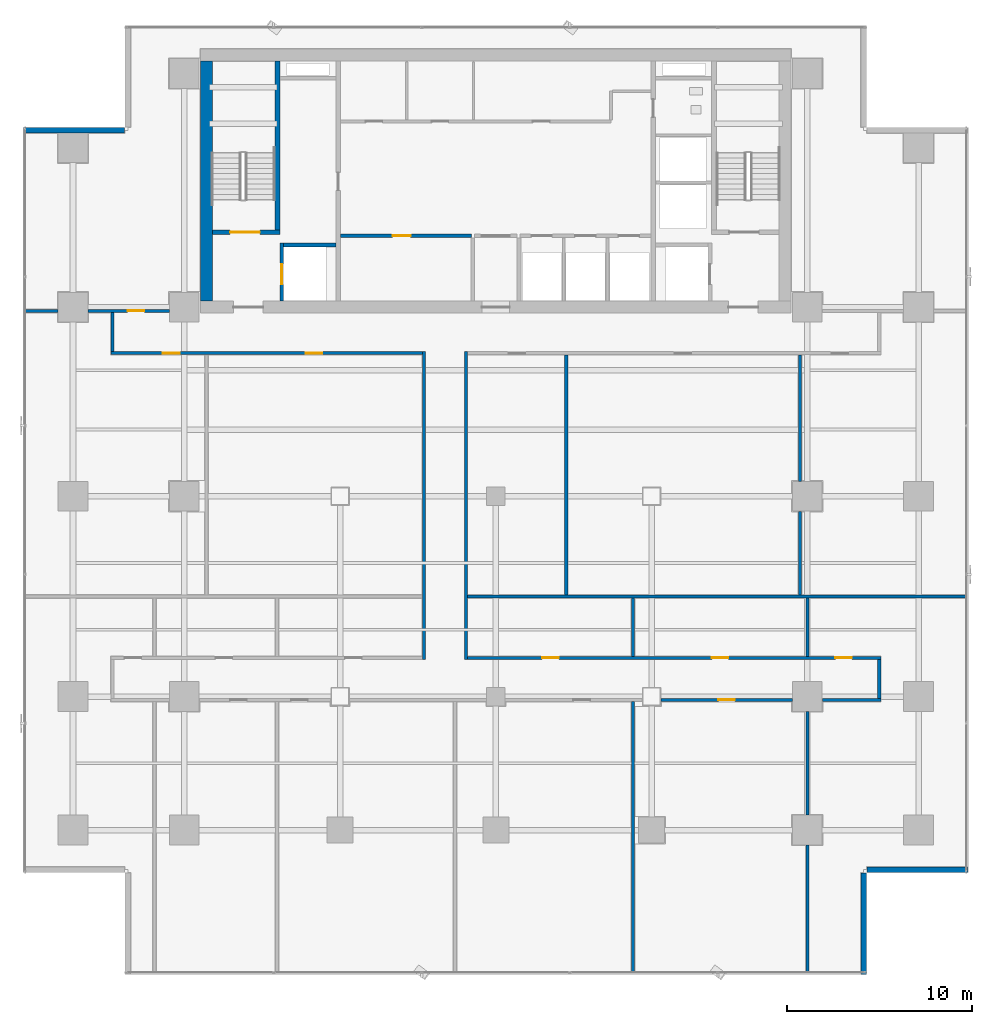
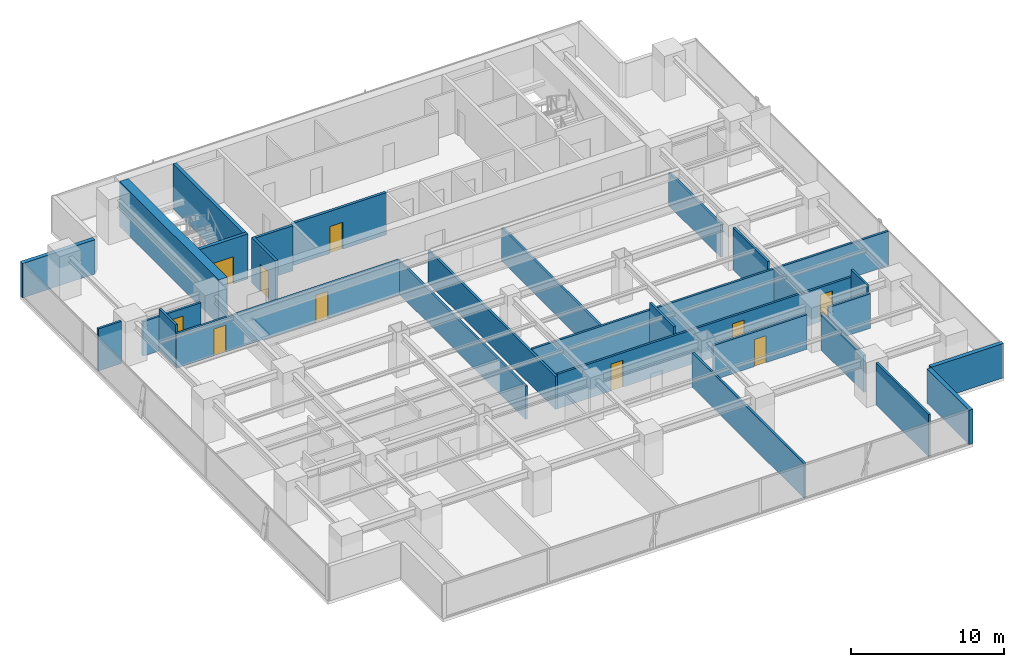
# One storey, part 26 of 35: 28 walls, 10 doors, 10 openings.
"""IFC4 building model written with IfcOpenShell, lengths in metres."""

from ifc_helpers import new_model, si_unit, direction, frame, frame_2d, origin, place, context, subcontext, project, spatial, rectangle, extrude, source, transform, mapped, material, layer, layer_set, type_object, element, fill, save


model = new_model("IFC4")

# Units and contexts
model_context = context("Model", 3, precision=1e-05, world=origin(), true_north=direction((0.0, 1.0)))
body_context = subcontext(model_context, "Body", "Model", "MODEL_VIEW")
ifc_project = project(units=[si_unit("LENGTHUNIT", "METRE"), si_unit("AREAUNIT", "SQUARE_METRE"), si_unit("VOLUMEUNIT", "CUBIC_METRE"), si_unit("PLANEANGLEUNIT", "RADIAN"), si_unit("MASSUNIT", "GRAM", prefix="KILO")], contexts=[model_context])

# Site, building, storey
site_placement = place(None, origin())
site = spatial("IfcSite", under=ifc_project, at=site_placement, CompositionType="ELEMENT")
building_placement = place(site_placement, origin())
building = spatial("IfcBuilding", under=site, at=building_placement, Name="Sumidabori Civic Tower", CompositionType="ELEMENT")
storey_placement = place(building_placement, frame((0.0, 0.0, 102.800048828125)))
storey = spatial("IfcBuildingStorey", under=building, at=storey_placement, Name="L26", CompositionType="ELEMENT", Elevation=102.800048828125)

# Walls
ifc_material_1 = material(Name="Concrete C50/60", Category="concrete")
ifc_layer_1 = layer(ifc_material_1, 0.199951171875, Name="Concrete C50/60")
ifc_layer_set_1 = layer_set([ifc_layer_1], Name="Concrete C50/60")
wall_type_1 = type_object("IfcWallType", Name="WL-SHAFT-200", PredefinedType="SHEAR", material=ifc_layer_set_1)
shared_shape_1 = source(origin(), body_context, "Body", "SweptSolid", [
    extrude(rectangle(XDim=2.824951171875, YDim=0.199951171875, at=frame_2d((1.41259765625, 0.0))), origin(), (0.0, 0.0, 1.0), 3.599853515625),
])
wall_1_placement = place(storey_placement, frame((-11.449951171875, 13.550048828125, 0.0), z_axis=(0.0, 0.0, 1.0), x_axis=(1.0, 0.0, 0.0)))
element("IfcWall", 1, at=wall_1_placement, inside=storey, type_object=wall_type_1, Name="Core Shear Wall L26 EL1-N", PredefinedType="SHEAR", context=body_context, shape_type="MappedRepresentation", body=[
    mapped(shared_shape_1, transform((0.0, 0.0, 0.0), x_axis=(1.0, 0.0, 0.0), y_axis=(0.0, 1.0, 0.0), z_axis=(0.0, 0.0, 1.0), scale=1.0)),
])
ifc_material_2 = material(Name="Concrete C60/75", Category="concrete")
ifc_layer_2 = layer(ifc_material_2, 0.64990234375, Name="Concrete C60/75")
ifc_layer_set_2 = layer_set([ifc_layer_2], Name="Concrete C60/75")
wall_type_2 = type_object("IfcWallType", Name="WL-CORE-650", PredefinedType="SHEAR", material=ifc_layer_set_2)
shared_shape_2 = source(origin(), body_context, "Body", "SweptSolid", [
    extrude(rectangle(XDim=12.9501953125, YDim=0.64990234375, at=frame_2d((6.47509765625, 0.0))), origin(), (0.0, 0.0, 1.0), 3.599853515625),
])
wall_2_placement = place(storey_placement, frame((-15.60009765625, 10.52490234375, 0.0), z_axis=(0.0, 0.0, 1.0), x_axis=(0.0, 1.0, 0.0)))
element("IfcWall", 2, at=wall_2_placement, inside=storey, type_object=wall_type_2, Name="Core Shear Wall L26 W", PredefinedType="SHEAR", context=body_context, shape_type="MappedRepresentation", body=[
    mapped(shared_shape_2, transform((0.0, 0.0, 0.0), x_axis=(1.0, 0.0, 0.0), y_axis=(0.0, 1.0, 0.0), z_axis=(0.0, 0.0, 1.0), scale=1.0)),
])

# Wall, opening, door
ifc_layer_3 = layer(ifc_material_1, 0.25, Name="Concrete C50/60")
ifc_layer_set_3 = layer_set([ifc_layer_3], Name="Concrete C50/60")
wall_type_3 = type_object("IfcWallType", Name="WL-SHAFT-250", PredefinedType="SHEAR", material=ifc_layer_set_3)
shared_shape_3 = source(origin(), body_context, "Body", "SweptSolid", [
    extrude(rectangle(XDim=3.6298828125, YDim=0.25, at=frame_2d((1.81494140625, 0.0))), origin(), (0.0, 0.0, 1.0), 3.599853515625),
])
wall_3_placement = place(storey_placement, frame((-15.27490234375, 14.25, 0.0), z_axis=(0.0, 0.0, 1.0), x_axis=(1.0, 0.0, 0.0)))
wall_3 = element("IfcWall", 3, at=wall_3_placement, inside=storey, type_object=wall_type_3, Name="Core Shear Wall L26 ST1-S", PredefinedType="SHEAR", context=body_context, shape_type="MappedRepresentation", body=[
    mapped(shared_shape_3, transform((0.0, 0.0, 0.0), x_axis=(1.0, 0.0, 0.0), y_axis=(0.0, 1.0, 0.0), z_axis=(0.0, 0.0, 1.0), scale=1.0)),
])
opening_1_placement = place(wall_3_placement, frame((0.949951171875, 0.0, 0.0)))
opening_1 = element("IfcOpeningElement", 4, at=opening_1_placement, cuts=wall_3, Name="Opening DR-FD4", PredefinedType="OPENING", context=body_context, shape_type="SweptSolid", body=[
    extrude(rectangle(XDim=1.60009765625, YDim=2.14990234375, at=frame_2d((0.800048828125, 1.074951171875))), frame((0.0, 0.136962890625, 0.0), z_axis=(0.0, -1.0, 0.0), x_axis=(1.0, 0.0, 0.0)), (0.0, 0.0, 1.0), 0.27392578125),
])
ifc_material_3 = material(Name="Steel SN490", Category="steel")
door_type_1 = type_object("IfcDoorType", Name="DR-FD4", OperationType="DOUBLE_DOOR_SINGLE_SWING", PredefinedType="DOOR", material=ifc_material_3)
shared_shape_4 = source(origin(), body_context, "Body", "SweptSolid", [
    extrude(rectangle(XDim=1.60009765625, YDim=2.14990234375, at=frame_2d((0.800048828125, 1.074951171875))), frame((0.0, 0.02490234375, 0.0), z_axis=(0.0, -1.0, 0.0), x_axis=(1.0, 0.0, 0.0)), (0.0, 0.0, 1.0), 0.050048828125),
])
door_1_placement = place(opening_1_placement, origin())
door_1 = element("IfcDoor", 5, at=door_1_placement, inside=storey, type_object=door_type_1, Name="Door DR:L26:ST1", OperationType="DOUBLE_DOOR_SINGLE_SWING", OverallHeight=2.14990234375, OverallWidth=1.60009765625, PredefinedType="DOOR", context=body_context, shape_type="MappedRepresentation", body=[
    mapped(shared_shape_4, transform((0.0, 0.0, 0.0), x_axis=(1.0, 0.0, 0.0), y_axis=(0.0, 1.0, 0.0), z_axis=(0.0, 0.0, 1.0), scale=1.0)),
])
fill(opening_1, door_1)

# Wall
shared_shape_5 = source(origin(), body_context, "Body", "SweptSolid", [
    extrude(rectangle(XDim=9.10009765625, YDim=0.25, at=frame_2d((4.550048828125, 0.0))), origin(), (0.0, 0.0, 1.0), 3.599853515625),
])
wall_4_placement = place(storey_placement, frame((-11.77001953125, 14.375, 0.0), z_axis=(0.0, 0.0, 1.0), x_axis=(0.0, 1.0, 0.0)))
element("IfcWall", 6, at=wall_4_placement, inside=storey, type_object=wall_type_3, Name="Core Shear Wall L26 ST1-E", PredefinedType="SHEAR", context=body_context, shape_type="MappedRepresentation", body=[
    mapped(shared_shape_5, transform((0.0, 0.0, 0.0), x_axis=(1.0, 0.0, 0.0), y_axis=(0.0, 1.0, 0.0), z_axis=(0.0, 0.0, 1.0), scale=1.0)),
])

# Wall, opening, door
shared_shape_6 = source(origin(), body_context, "Body", "SweptSolid", [
    extrude(rectangle(XDim=3.125, YDim=0.199951171875, at=frame_2d((1.5625, 0.0))), origin(), (0.0, 0.0, 1.0), 3.599853515625),
])
wall_5_placement = place(storey_placement, frame((-11.550048828125, 10.52490234375, 0.0), z_axis=(0.0, 0.0, 1.0), x_axis=(0.0, 1.0, 0.0)))
wall_5 = element("IfcWall", 7, at=wall_5_placement, inside=storey, type_object=wall_type_1, Name="Core Shear Wall L26 EL1-W", PredefinedType="SHEAR", context=body_context, shape_type="MappedRepresentation", body=[
    mapped(shared_shape_6, transform((0.0, 0.0, 0.0), x_axis=(1.0, 0.0, 0.0), y_axis=(0.0, 1.0, 0.0), z_axis=(0.0, 0.0, 1.0), scale=1.0)),
])
opening_2_placement = place(wall_5_placement, frame((0.89990234375, 0.0, 0.0)))
opening_2 = element("IfcOpeningElement", 8, at=opening_2_placement, cuts=wall_5, Name="Opening LD-2", PredefinedType="OPENING", context=body_context, shape_type="SweptSolid", body=[
    extrude(rectangle(XDim=1.10009765625, YDim=2.14990234375, at=frame_2d((0.550048828125, 1.074951171875))), frame((0.0, 0.11181640625, 0.0), z_axis=(0.0, -1.0, 0.0), x_axis=(1.0, 0.0, 0.0)), (0.0, 0.0, 1.0), 0.223876953125),
])
ifc_material_4 = material(Name="Stainless Steel Hairline Finish", Category="steel")
door_type_2 = type_object("IfcDoorType", Name="DR-LD2", OperationType="DOUBLE_DOOR_SLIDING", PredefinedType="DOOR", material=ifc_material_4)
shared_shape_7 = source(origin(), body_context, "Body", "SweptSolid", [
    extrude(rectangle(XDim=1.10009765625, YDim=2.14990234375, at=frame_2d((0.550048828125, 1.074951171875))), frame((0.0, 0.02490234375, 0.0), z_axis=(0.0, -1.0, 0.0), x_axis=(1.0, 0.0, 0.0)), (0.0, 0.0, 1.0), 0.050048828125),
])
door_2_placement = place(opening_2_placement, origin())
door_2 = element("IfcDoor", 9, at=door_2_placement, inside=storey, type_object=door_type_2, Name="Door DR:L26:LD-EL1", OperationType="DOUBLE_DOOR_SLIDING", OverallHeight=2.14990234375, OverallWidth=1.10009765625, PredefinedType="DOOR", context=body_context, shape_type="MappedRepresentation", body=[
    mapped(shared_shape_7, transform((0.0, 0.0, 0.0), x_axis=(1.0, 0.0, 0.0), y_axis=(0.0, 1.0, 0.0), z_axis=(0.0, 0.0, 1.0), scale=1.0)),
])
fill(opening_2, door_2)

# Walls
ifc_material_5 = material(Name="Precast concrete C40/50", Category="concrete")
ifc_layer_4 = layer(ifc_material_5, 0.300048828125, Name="Precast concrete C40/50")
ifc_layer_set_4 = layer_set([ifc_layer_4], Name="Precast concrete C40/50")
wall_type_4 = type_object("IfcWallType", Name="WL-EXT-POD300", PredefinedType="STANDARD", material=ifc_layer_set_4)
shared_shape_8 = source(origin(), body_context, "Body", "SweptSolid", [
    extrude(rectangle(XDim=5.4599609375, YDim=0.300048828125, at=frame_2d((2.72998046875, 0.0))), origin(), (0.0, 0.0, 1.0), 2.739990234375),
])
for number, where, z_axis, x_axis, name in (
    (10, (19.85009765625, -25.780029296875, 0.0), (0.0, 0.0, 1.0), (0.0, 1.0, 0.0), "Notched Corner Spandrel Band L26-02"),
    (11, (20.02001953125, -20.14990234375, 0.0), (0.0, 0.0, 1.0), (1.0, 0.0, 0.0), "Notched Corner Spandrel Band L26-03"),
    (12, (-20.02001953125, 19.75, 0.0), (0.0, 0.0, 1.0), (-1.0, 0.0, 0.0), "Notched Corner Spandrel Band L26-09"),
):
    element("IfcWall", number, at=place(storey_placement, frame(where, z_axis=z_axis, x_axis=x_axis)), inside=storey, type_object=wall_type_4, Name=name, PredefinedType="STANDARD", context=body_context, shape_type="MappedRepresentation", body=[
        mapped(shared_shape_8, transform((0.0, 0.0, 0.0), x_axis=(1.0, 0.0, 0.0), y_axis=(0.0, 1.0, 0.0), z_axis=(0.0, 0.0, 1.0), scale=1.0)),
    ])

# Wall, opening, door
ifc_material_6 = material(Name="Gypsum Plasterboard Fire Partition")
ifc_layer_5 = layer(ifc_material_6, 0.199951171875, Name="Gypsum Plasterboard Fire Partition")
ifc_layer_set_5 = layer_set([ifc_layer_5], Name="Gypsum Plasterboard Fire Partition")
wall_type_5 = type_object("IfcWallType", Name="WL-PART-FIRE", PredefinedType="PARTITIONING", material=ifc_layer_set_5)
shared_shape_9 = source(origin(), body_context, "Body", "SweptSolid", [
    extrude(rectangle(XDim=7.070068359375, YDim=0.199951171875, at=frame_2d((3.53515625, 0.0))), origin(), (0.0, 0.0, 1.0), 3.35986328125),
])
wall_6_placement = place(storey_placement, frame((-8.3701171875, 14.050048828125, 0.0), z_axis=(0.0, 0.0, 1.0), x_axis=(1.0, 0.0, 0.0)))
wall_6 = element("IfcWall", 13, at=wall_6_placement, inside=storey, type_object=wall_type_5, Name="Interior Partition WL:L26:CBAND-SW", PredefinedType="PARTITIONING", context=body_context, shape_type="MappedRepresentation", body=[
    mapped(shared_shape_9, transform((0.0, 0.0, 0.0), x_axis=(1.0, 0.0, 0.0), y_axis=(0.0, 1.0, 0.0), z_axis=(0.0, 0.0, 1.0), scale=1.0)),
])
opening_3_placement = place(wall_6_placement, frame((2.800048828125, 0.0, 0.0)))
opening_3 = element("IfcOpeningElement", 14, at=opening_3_placement, cuts=wall_6, Name="Opening DR-3", PredefinedType="OPENING", context=body_context, shape_type="SweptSolid", body=[
    extrude(rectangle(XDim=0.97998046875, YDim=2.14990234375, at=frame_2d((0.489990234375, 1.074951171875))), frame((0.0, 0.11181640625, 0.0), z_axis=(0.0, -1.0, 0.0), x_axis=(1.0, 0.0, 0.0)), (0.0, 0.0, 1.0), 0.223876953125),
])
ifc_material_7 = material(Name="Japanese Hinoki Timber", Category="wood")
door_type_3 = type_object("IfcDoorType", Name="DR-INT-980", OperationType="NOTDEFINED", PredefinedType="DOOR", material=ifc_material_7)
shared_shape_10 = source(origin(), body_context, "Body", "SweptSolid", [
    extrude(rectangle(XDim=0.97998046875, YDim=2.14990234375, at=frame_2d((0.489990234375, 1.074951171875))), frame((0.0, 0.02490234375, 0.0), z_axis=(0.0, -1.0, 0.0), x_axis=(1.0, 0.0, 0.0)), (0.0, 0.0, 1.0), 0.050048828125),
])
door_3_placement = place(opening_3_placement, origin())
door_3 = element("IfcDoor", 15, at=door_3_placement, inside=storey, type_object=door_type_3, Name="Door DR:L26:REC-B1", OperationType="SINGLE_SWING_LEFT", OverallHeight=2.14990234375, OverallWidth=0.97998046875, PredefinedType="DOOR", context=body_context, shape_type="MappedRepresentation", body=[
    mapped(shared_shape_10, transform((0.0, 0.0, 0.0), x_axis=(1.0, 0.0, 0.0), y_axis=(0.0, 1.0, 0.0), z_axis=(0.0, 0.0, 1.0), scale=1.0)),
])
fill(opening_3, door_3)

# Wall
ifc_material_8 = material(Name="Gypsum Plasterboard Acoustic Partition")
ifc_layer_6 = layer(ifc_material_8, 0.1650390625, Name="Gypsum Plasterboard Acoustic Partition")
ifc_layer_set_6 = layer_set([ifc_layer_6], Name="Gypsum Plasterboard Acoustic Partition")
wall_type_6 = type_object("IfcWallType", Name="WL-PART-165", PredefinedType="PARTITIONING", material=ifc_layer_set_6)
shared_shape_11 = source(origin(), body_context, "Body", "SweptSolid", [
    extrude(rectangle(XDim=1.739990234375, YDim=0.1650390625, at=frame_2d((0.8701171875, 0.0))), origin(), (0.0, 0.0, 1.0), 3.35986328125),
])
wall_7_placement = place(storey_placement, frame((-25.35009765625, 10.0, 0.0), z_axis=(0.0, 0.0, 1.0), x_axis=(1.0, 0.0, 0.0)))
element("IfcWall", 16, at=wall_7_placement, inside=storey, type_object=wall_type_6, Name="Interior Partition WL:L26:FLK-NW-1", PredefinedType="PARTITIONING", context=body_context, shape_type="MappedRepresentation", body=[
    mapped(shared_shape_11, transform((0.0, 0.0, 0.0), x_axis=(1.0, 0.0, 0.0), y_axis=(0.0, 1.0, 0.0), z_axis=(0.0, 0.0, 1.0), scale=1.0)),
])

# Wall, opening, door
shared_shape_12 = source(origin(), body_context, "Body", "SweptSolid", [
    extrude(rectangle(XDim=4.3798828125, YDim=0.1650390625, at=frame_2d((2.18994140625, 0.0))), origin(), (0.0, 0.0, 1.0), 2.744873046875),
])
wall_8_placement = place(storey_placement, frame((-21.989990234375, 10.0, 0.0), z_axis=(0.0, 0.0, 1.0), x_axis=(1.0, 0.0, 0.0)))
wall_8 = element("IfcWall", 17, at=wall_8_placement, inside=storey, type_object=wall_type_6, Name="Interior Partition WL:L26:FLK-NW-2", PredefinedType="PARTITIONING", context=body_context, shape_type="MappedRepresentation", body=[
    mapped(shared_shape_12, transform((0.0, 0.0, 0.0), x_axis=(1.0, 0.0, 0.0), y_axis=(0.0, 1.0, 0.0), z_axis=(0.0, 0.0, 1.0), scale=1.0)),
])
opening_4_placement = place(wall_8_placement, frame((2.135009765625, 0.0, 0.0)))
opening_4 = element("IfcOpeningElement", 18, at=opening_4_placement, cuts=wall_8, Name="Opening DR-1", PredefinedType="OPENING", context=body_context, shape_type="SweptSolid", body=[
    extrude(rectangle(XDim=0.89990234375, YDim=2.14990234375, at=frame_2d((0.449951171875, 1.074951171875))), frame((0.0, 0.094482421875, 0.0), z_axis=(0.0, -1.0, 0.0), x_axis=(1.0, 0.0, 0.0)), (0.0, 0.0, 1.0), 0.18896484375),
])
door_type_4 = type_object("IfcDoorType", Name="DR-INT-900", OperationType="NOTDEFINED", PredefinedType="DOOR", material=ifc_material_7)
shared_shape_13 = source(origin(), body_context, "Body", "SweptSolid", [
    extrude(rectangle(XDim=0.89990234375, YDim=2.14990234375, at=frame_2d((0.449951171875, 1.074951171875))), frame((0.0, 0.02490234375, 0.0), z_axis=(0.0, -1.0, 0.0), x_axis=(1.0, 0.0, 0.0)), (0.0, 0.0, 1.0), 0.050048828125),
])
door_4_placement = place(opening_4_placement, origin())
door_4 = element("IfcDoor", 19, at=door_4_placement, inside=storey, type_object=door_type_4, Name="Door DR:L26:FLK-NE", OperationType="SINGLE_SWING_LEFT", OverallHeight=2.14990234375, OverallWidth=0.89990234375, PredefinedType="DOOR", context=body_context, shape_type="MappedRepresentation", body=[
    mapped(shared_shape_13, transform((0.0, 0.0, 0.0), x_axis=(1.0, 0.0, 0.0), y_axis=(0.0, 1.0, 0.0), z_axis=(0.0, 0.0, 1.0), scale=1.0)),
])
fill(opening_4, door_4)

# Wall, openings, doors
shared_shape_14 = source(origin(), body_context, "Body", "SweptSolid", [
    extrude(rectangle(XDim=16.7998046875, YDim=0.1650390625, at=frame_2d((8.39990234375, 0.0))), origin(), (0.0, 0.0, 1.0), 2.744873046875),
])
wall_9_placement = place(storey_placement, frame((-20.764892578125, 7.717529296875, 0.0), z_axis=(0.0, 0.0, 1.0), x_axis=(1.0, 0.0, 0.0)))
wall_9 = element("IfcWall", 20, at=wall_9_placement, inside=storey, type_object=wall_type_6, Name="Interior Partition WL:L26:CORR-SW", PredefinedType="PARTITIONING", context=body_context, shape_type="MappedRepresentation", body=[
    mapped(shared_shape_14, transform((0.0, 0.0, 0.0), x_axis=(1.0, 0.0, 0.0), y_axis=(0.0, 1.0, 0.0), z_axis=(0.0, 0.0, 1.0), scale=1.0)),
])
opening_5_placement = place(wall_9_placement, frame((2.813720703125, 0.0, 0.0)))
opening_5 = element("IfcOpeningElement", 21, at=opening_5_placement, cuts=wall_9, Name="Opening DR-1", PredefinedType="OPENING", context=body_context, shape_type="SweptSolid", body=[
    extrude(rectangle(XDim=0.89990234375, YDim=2.14990234375, at=frame_2d((0.449951171875, 1.074951171875))), frame((0.0, 0.094482421875, 0.0), z_axis=(0.0, -1.0, 0.0), x_axis=(1.0, 0.0, 0.0)), (0.0, 0.0, 1.0), 0.18896484375),
])
opening_6_placement = place(wall_9_placement, frame((10.513916015625, 0.0, 0.0)))
opening_6 = element("IfcOpeningElement", 22, at=opening_6_placement, cuts=wall_9, Name="Opening DR-1", PredefinedType="OPENING", context=body_context, shape_type="SweptSolid", body=[
    extrude(rectangle(XDim=0.89990234375, YDim=2.14990234375, at=frame_2d((0.449951171875, 1.074951171875))), frame((0.0, 0.094482421875, 0.0), z_axis=(0.0, -1.0, 0.0), x_axis=(1.0, 0.0, 0.0)), (0.0, 0.0, 1.0), 0.18896484375),
])
door_5_placement = place(opening_5_placement, origin())
door_5 = element("IfcDoor", 23, at=door_5_placement, inside=storey, type_object=door_type_4, Name="Door DR:L26:D02", OperationType="SINGLE_SWING_RIGHT", OverallHeight=2.14990234375, OverallWidth=0.89990234375, PredefinedType="DOOR", context=body_context, shape_type="MappedRepresentation", body=[
    mapped(shared_shape_13, transform((0.0, 0.0, 0.0), x_axis=(1.0, 0.0, 0.0), y_axis=(0.0, 1.0, 0.0), z_axis=(0.0, 0.0, 1.0), scale=1.0)),
])
fill(opening_5, door_5)
door_6_placement = place(opening_6_placement, origin())
door_6 = element("IfcDoor", 24, at=door_6_placement, inside=storey, type_object=door_type_4, Name="Door DR:L26:D04", OperationType="SINGLE_SWING_RIGHT", OverallHeight=2.14990234375, OverallWidth=0.89990234375, PredefinedType="DOOR", context=body_context, shape_type="MappedRepresentation", body=[
    mapped(shared_shape_13, transform((0.0, 0.0, 0.0), x_axis=(1.0, 0.0, 0.0), y_axis=(0.0, 1.0, 0.0), z_axis=(0.0, 0.0, 1.0), scale=1.0)),
])
fill(opening_6, door_6)

shared_shape_15 = source(origin(), body_context, "Body", "SweptSolid", [
    extrude(rectangle(XDim=22.2998046875, YDim=0.1650390625, at=frame_2d((11.14990234375, 0.0))), origin(), (0.0, 0.0, 1.0), 2.744873046875),
])
wall_10_placement = place(storey_placement, frame((-1.534912109375, -8.717529296875, 0.0), z_axis=(0.0, 0.0, 1.0), x_axis=(1.0, 0.0, 0.0)))
wall_10 = element("IfcWall", 25, at=wall_10_placement, inside=storey, type_object=wall_type_6, Name="Interior Partition WL:L26:CORR-MNE", PredefinedType="PARTITIONING", context=body_context, shape_type="MappedRepresentation", body=[
    mapped(shared_shape_15, transform((0.0, 0.0, 0.0), x_axis=(1.0, 0.0, 0.0), y_axis=(0.0, 1.0, 0.0), z_axis=(0.0, 0.0, 1.0), scale=1.0)),
])
opening_7_placement = place(wall_10_placement, frame((4.0361328125, 0.0, 0.0)))
opening_7 = element("IfcOpeningElement", 26, at=opening_7_placement, cuts=wall_10, Name="Opening DR-1", PredefinedType="OPENING", context=body_context, shape_type="SweptSolid", body=[
    extrude(rectangle(XDim=0.89990234375, YDim=2.14990234375, at=frame_2d((0.449951171875, 1.074951171875))), frame((0.0, 0.094482421875, 0.0), z_axis=(0.0, -1.0, 0.0), x_axis=(1.0, 0.0, 0.0)), (0.0, 0.0, 1.0), 0.18896484375),
])
opening_8_placement = place(wall_10_placement, frame((13.18505859375, 0.0, 0.0)))
opening_8 = element("IfcOpeningElement", 27, at=opening_8_placement, cuts=wall_10, Name="Opening DR-1", PredefinedType="OPENING", context=body_context, shape_type="SweptSolid", body=[
    extrude(rectangle(XDim=0.89990234375, YDim=2.14990234375, at=frame_2d((0.449951171875, 1.074951171875))), frame((0.0, 0.094482421875, 0.0), z_axis=(0.0, -1.0, 0.0), x_axis=(1.0, 0.0, 0.0)), (0.0, 0.0, 1.0), 0.18896484375),
])
opening_9_placement = place(wall_10_placement, frame((19.84619140625, 0.0, 0.0)))
opening_9 = element("IfcOpeningElement", 28, at=opening_9_placement, cuts=wall_10, Name="Opening DR-1", PredefinedType="OPENING", context=body_context, shape_type="SweptSolid", body=[
    extrude(rectangle(XDim=0.89990234375, YDim=2.14990234375, at=frame_2d((0.449951171875, 1.074951171875))), frame((0.0, 0.094482421875, 0.0), z_axis=(0.0, -1.0, 0.0), x_axis=(1.0, 0.0, 0.0)), (0.0, 0.0, 1.0), 0.18896484375),
])
door_7_placement = place(opening_7_placement, origin())
door_7 = element("IfcDoor", 29, at=door_7_placement, inside=storey, type_object=door_type_4, Name="Door DR:L26:D09", OperationType="SINGLE_SWING_LEFT", OverallHeight=2.14990234375, OverallWidth=0.89990234375, PredefinedType="DOOR", context=body_context, shape_type="MappedRepresentation", body=[
    mapped(shared_shape_13, transform((0.0, 0.0, 0.0), x_axis=(1.0, 0.0, 0.0), y_axis=(0.0, 1.0, 0.0), z_axis=(0.0, 0.0, 1.0), scale=1.0)),
])
fill(opening_7, door_7)
door_8_placement = place(opening_8_placement, origin())
door_8 = element("IfcDoor", 30, at=door_8_placement, inside=storey, type_object=door_type_4, Name="Door DR:L26:D10", OperationType="SINGLE_SWING_RIGHT", OverallHeight=2.14990234375, OverallWidth=0.89990234375, PredefinedType="DOOR", context=body_context, shape_type="MappedRepresentation", body=[
    mapped(shared_shape_13, transform((0.0, 0.0, 0.0), x_axis=(1.0, 0.0, 0.0), y_axis=(0.0, 1.0, 0.0), z_axis=(0.0, 0.0, 1.0), scale=1.0)),
])
fill(opening_8, door_8)
door_9_placement = place(opening_9_placement, origin())
door_9 = element("IfcDoor", 31, at=door_9_placement, inside=storey, type_object=door_type_4, Name="Door DR:L26:D12", OperationType="SINGLE_SWING_RIGHT", OverallHeight=2.14990234375, OverallWidth=0.89990234375, PredefinedType="DOOR", context=body_context, shape_type="MappedRepresentation", body=[
    mapped(shared_shape_13, transform((0.0, 0.0, 0.0), x_axis=(1.0, 0.0, 0.0), y_axis=(0.0, 1.0, 0.0), z_axis=(0.0, 0.0, 1.0), scale=1.0)),
])
fill(opening_9, door_9)

# Wall
shared_shape_16 = source(origin(), body_context, "Body", "SweptSolid", [
    extrude(rectangle(XDim=3.15478515625, YDim=0.1650390625, at=frame_2d((1.577392578125, 0.0))), origin(), (0.0, 0.0, 1.0), 2.744873046875),
])
wall_11_placement = place(storey_placement, frame((17.610107421875, -10.982421875, 0.0), z_axis=(0.0, 0.0, 1.0), x_axis=(1.0, 0.0, 0.0)))
element("IfcWall", 32, at=wall_11_placement, inside=storey, type_object=wall_type_6, Name="Interior Partition WL:L26:CORR-SS-6", PredefinedType="PARTITIONING", context=body_context, shape_type="MappedRepresentation", body=[
    mapped(shared_shape_16, transform((0.0, 0.0, 0.0), x_axis=(1.0, 0.0, 0.0), y_axis=(0.0, 1.0, 0.0), z_axis=(0.0, 0.0, 1.0), scale=1.0)),
])

# Wall, opening, door
shared_shape_17 = source(origin(), body_context, "Body", "SweptSolid", [
    extrude(rectangle(XDim=7.080078125, YDim=0.1650390625, at=frame_2d((3.5400390625, 0.0))), origin(), (0.0, 0.0, 1.0), 2.744873046875),
])
wall_12_placement = place(storey_placement, frame((8.909912109375, -10.982421875, 0.0), z_axis=(0.0, 0.0, 1.0), x_axis=(1.0, 0.0, 0.0)))
wall_12 = element("IfcWall", 33, at=wall_12_placement, inside=storey, type_object=wall_type_6, Name="Interior Partition WL:L26:CORR-SS-5", PredefinedType="PARTITIONING", context=body_context, shape_type="MappedRepresentation", body=[
    mapped(shared_shape_17, transform((0.0, 0.0, 0.0), x_axis=(1.0, 0.0, 0.0), y_axis=(0.0, 1.0, 0.0), z_axis=(0.0, 0.0, 1.0), scale=1.0)),
])
opening_10_placement = place(wall_12_placement, frame((3.090087890625, 0.0, 0.0)))
opening_10 = element("IfcOpeningElement", 34, at=opening_10_placement, cuts=wall_12, Name="Opening DR-1", PredefinedType="OPENING", context=body_context, shape_type="SweptSolid", body=[
    extrude(rectangle(XDim=0.89990234375, YDim=2.14990234375, at=frame_2d((0.449951171875, 1.074951171875))), frame((0.0, 0.094482421875, 0.0), z_axis=(0.0, -1.0, 0.0), x_axis=(1.0, 0.0, 0.0)), (0.0, 0.0, 1.0), 0.18896484375),
])
door_10_placement = place(opening_10_placement, origin())
door_10 = element("IfcDoor", 35, at=door_10_placement, inside=storey, type_object=door_type_4, Name="Door DR:L26:D16", OperationType="SINGLE_SWING_RIGHT", OverallHeight=2.14990234375, OverallWidth=0.89990234375, PredefinedType="DOOR", context=body_context, shape_type="MappedRepresentation", body=[
    mapped(shared_shape_13, transform((0.0, 0.0, 0.0), x_axis=(1.0, 0.0, 0.0), y_axis=(0.0, 1.0, 0.0), z_axis=(0.0, 0.0, 1.0), scale=1.0)),
])
fill(opening_10, door_10)

# Walls
shared_shape_18 = source(origin(), body_context, "Body", "SweptSolid", [
    extrude(rectangle(XDim=2.107666015625, YDim=0.1650390625, at=frame_2d((1.0537109375, 0.0))), origin(), (0.0, 0.0, 1.0), 3.35986328125),
])
wall_13_placement = place(storey_placement, frame((-20.6826171875, 7.804931640625, 0.0), z_axis=(0.0, 0.0, 1.0), x_axis=(0.0, 1.0, 0.0)))
element("IfcWall", 36, at=wall_13_placement, inside=storey, type_object=wall_type_6, Name="Interior Partition WL:L26:CORR-VNW", PredefinedType="PARTITIONING", context=body_context, shape_type="MappedRepresentation", body=[
    mapped(shared_shape_18, transform((0.0, 0.0, 0.0), x_axis=(1.0, 0.0, 0.0), y_axis=(0.0, 1.0, 0.0), z_axis=(0.0, 0.0, 1.0), scale=1.0)),
])
shared_shape_19 = source(origin(), body_context, "Body", "SweptSolid", [
    extrude(rectangle(XDim=16.60009765625, YDim=0.1650390625, at=frame_2d((8.300048828125, 0.0))), origin(), (0.0, 0.0, 1.0), 2.64501953125),
])
for number, where, z_axis, x_axis, name in (
    (37, (-3.882568359375, -8.800048828125, 0.0), (0.0, 0.0, 1.0), (0.0, 1.0, 0.0), "Interior Partition WL:L26:CORR-VSP-W"),
    (38, (-1.617431640625, -8.800048828125, 0.0), (0.0, 0.0, 1.0), (0.0, 1.0, 0.0), "Interior Partition WL:L26:CORR-VSP-E"),
):
    element("IfcWall", number, at=place(storey_placement, frame(where, z_axis=z_axis, x_axis=x_axis)), inside=storey, type_object=wall_type_6, Name=name, PredefinedType="PARTITIONING", context=body_context, shape_type="MappedRepresentation", body=[
        mapped(shared_shape_19, transform((0.0, 0.0, 0.0), x_axis=(1.0, 0.0, 0.0), y_axis=(0.0, 1.0, 0.0), z_axis=(0.0, 0.0, 1.0), scale=1.0)),
    ])
shared_shape_20 = source(origin(), body_context, "Body", "SweptSolid", [
    extrude(rectangle(XDim=2.090087890625, YDim=0.1650390625, at=frame_2d((1.044921875, 0.0))), origin(), (0.0, 0.0, 1.0), 3.35986328125),
])
wall_14_placement = place(storey_placement, frame((20.6826171875, -10.89501953125, 0.0), z_axis=(0.0, 0.0, 1.0), x_axis=(0.0, 1.0, 0.0)))
element("IfcWall", 39, at=wall_14_placement, inside=storey, type_object=wall_type_6, Name="Interior Partition WL:L26:CORR-VSE", PredefinedType="PARTITIONING", context=body_context, shape_type="MappedRepresentation", body=[
    mapped(shared_shape_20, transform((0.0, 0.0, 0.0), x_axis=(1.0, 0.0, 0.0), y_axis=(0.0, 1.0, 0.0), z_axis=(0.0, 0.0, 1.0), scale=1.0)),
])
shared_shape_21 = source(origin(), body_context, "Body", "SweptSolid", [
    extrude(rectangle(XDim=26.880126953125, YDim=0.1650390625, at=frame_2d((13.43994140625, 0.0))), origin(), (0.0, 0.0, 1.0), 2.744873046875),
])
wall_15_placement = place(storey_placement, frame((-1.530029296875, -5.39990234375, 0.0), z_axis=(0.0, 0.0, 1.0), x_axis=(1.0, 0.0, 0.0)))
element("IfcWall", 40, at=wall_15_placement, inside=storey, type_object=wall_type_6, Name="Interior Partition WL:L26:BAND-Y-2", PredefinedType="PARTITIONING", context=body_context, shape_type="MappedRepresentation", body=[
    mapped(shared_shape_21, transform((0.0, 0.0, 0.0), x_axis=(1.0, 0.0, 0.0), y_axis=(0.0, 1.0, 0.0), z_axis=(0.0, 0.0, 1.0), scale=1.0)),
])
shared_shape_22 = source(origin(), body_context, "Body", "SweptSolid", [
    extrude(rectangle(XDim=12.9423828125, YDim=0.1650390625, at=frame_2d((6.47119140625, 0.0))), origin(), (0.0, 0.0, 1.0), 2.64501953125),
])
wall_16_placement = place(storey_placement, frame((3.800048828125, -5.3125, 0.0), z_axis=(0.0, 0.0, 1.0), x_axis=(0.0, 1.0, 0.0)))
element("IfcWall", 41, at=wall_16_placement, inside=storey, type_object=wall_type_6, Name="Interior Partition WL:L26:VX-N2", PredefinedType="PARTITIONING", context=body_context, shape_type="MappedRepresentation", body=[
    mapped(shared_shape_22, transform((0.0, 0.0, 0.0), x_axis=(1.0, 0.0, 0.0), y_axis=(0.0, 1.0, 0.0), z_axis=(0.0, 0.0, 1.0), scale=1.0)),
])
shared_shape_23 = source(origin(), body_context, "Body", "SweptSolid", [
    extrude(rectangle(XDim=4.50244140625, YDim=0.1650390625, at=frame_2d((2.251220703125, 0.0))), origin(), (0.0, 0.0, 1.0), 3.35986328125),
])
wall_17_placement = place(storey_placement, frame((16.39990234375, -5.3125, 0.0), z_axis=(0.0, 0.0, 1.0), x_axis=(0.0, 1.0, 0.0)))
element("IfcWall", 42, at=wall_17_placement, inside=storey, type_object=wall_type_6, Name="Interior Partition WL:L26:VX-N3-1", PredefinedType="PARTITIONING", context=body_context, shape_type="MappedRepresentation", body=[
    mapped(shared_shape_23, transform((0.0, 0.0, 0.0), x_axis=(1.0, 0.0, 0.0), y_axis=(0.0, 1.0, 0.0), z_axis=(0.0, 0.0, 1.0), scale=1.0)),
])
shared_shape_24 = source(origin(), body_context, "Body", "SweptSolid", [
    extrude(rectangle(XDim=6.81982421875, YDim=0.1650390625, at=frame_2d((3.409912109375, 0.0))), origin(), (0.0, 0.0, 1.0), 2.64501953125),
])
wall_18_placement = place(storey_placement, frame((16.39990234375, 0.81005859375, 0.0), z_axis=(0.0, 0.0, 1.0), x_axis=(0.0, 1.0, 0.0)))
element("IfcWall", 43, at=wall_18_placement, inside=storey, type_object=wall_type_6, Name="Interior Partition WL:L26:VX-N3-2", PredefinedType="PARTITIONING", context=body_context, shape_type="MappedRepresentation", body=[
    mapped(shared_shape_24, transform((0.0, 0.0, 0.0), x_axis=(1.0, 0.0, 0.0), y_axis=(0.0, 1.0, 0.0), z_axis=(0.0, 0.0, 1.0), scale=1.0)),
])
shared_shape_25 = source(origin(), body_context, "Body", "SweptSolid", [
    extrude(rectangle(XDim=14.579833984375, YDim=0.1650390625, at=frame_2d((7.2900390625, 0.0))), origin(), (0.0, 0.0, 1.0), 2.744873046875),
])
wall_19_placement = place(storey_placement, frame((7.39990234375, -25.64990234375, 0.0), z_axis=(0.0, 0.0, 1.0), x_axis=(0.0, 1.0, 0.0)))
element("IfcWall", 44, at=wall_19_placement, inside=storey, type_object=wall_type_6, Name="Interior Partition WL:L26:VX-S4-1", PredefinedType="PARTITIONING", context=body_context, shape_type="MappedRepresentation", body=[
    mapped(shared_shape_25, transform((0.0, 0.0, 0.0), x_axis=(1.0, 0.0, 0.0), y_axis=(0.0, 1.0, 0.0), z_axis=(0.0, 0.0, 1.0), scale=1.0)),
])
shared_shape_26 = source(origin(), body_context, "Body", "SweptSolid", [
    extrude(rectangle(XDim=3.142333984375, YDim=0.1650390625, at=frame_2d((1.5712890625, 0.0))), origin(), (0.0, 0.0, 1.0), 3.35986328125),
])
wall_20_placement = place(storey_placement, frame((7.39990234375, -8.6298828125, 0.0), z_axis=(0.0, 0.0, 1.0), x_axis=(0.0, 1.0, 0.0)))
element("IfcWall", 45, at=wall_20_placement, inside=storey, type_object=wall_type_6, Name="Interior Partition WL:L26:VX-S4-2", PredefinedType="PARTITIONING", context=body_context, shape_type="MappedRepresentation", body=[
    mapped(shared_shape_26, transform((0.0, 0.0, 0.0), x_axis=(1.0, 0.0, 0.0), y_axis=(0.0, 1.0, 0.0), z_axis=(0.0, 0.0, 1.0), scale=1.0)),
])
shared_shape_27 = source(origin(), body_context, "Body", "SweptSolid", [
    extrude(rectangle(XDim=6.83984375, YDim=0.1650390625, at=frame_2d((3.419921875, 0.0))), origin(), (0.0, 0.0, 1.0), 3.35986328125),
])
wall_21_placement = place(storey_placement, frame((16.800048828125, -25.64990234375, 0.0), z_axis=(0.0, 0.0, 1.0), x_axis=(0.0, 1.0, 0.0)))
element("IfcWall", 46, at=wall_21_placement, inside=storey, type_object=wall_type_6, Name="Interior Partition WL:L26:VX-S5-1", PredefinedType="PARTITIONING", context=body_context, shape_type="MappedRepresentation", body=[
    mapped(shared_shape_27, transform((0.0, 0.0, 0.0), x_axis=(1.0, 0.0, 0.0), y_axis=(0.0, 1.0, 0.0), z_axis=(0.0, 0.0, 1.0), scale=1.0)),
])
shared_shape_28 = source(origin(), body_context, "Body", "SweptSolid", [
    extrude(rectangle(XDim=5.579833984375, YDim=0.1650390625, at=frame_2d((2.7900390625, 0.0))), origin(), (0.0, 0.0, 1.0), 2.945068359375),
])
wall_22_placement = place(storey_placement, frame((16.800048828125, -17.18994140625, 0.0), z_axis=(0.0, 0.0, 1.0), x_axis=(0.0, 1.0, 0.0)))
element("IfcWall", 47, at=wall_22_placement, inside=storey, type_object=wall_type_6, Name="Interior Partition WL:L26:VX-S5-2", PredefinedType="PARTITIONING", context=body_context, shape_type="MappedRepresentation", body=[
    mapped(shared_shape_28, transform((0.0, 0.0, 0.0), x_axis=(1.0, 0.0, 0.0), y_axis=(0.0, 1.0, 0.0), z_axis=(0.0, 0.0, 1.0), scale=1.0)),
])
shared_shape_29 = source(origin(), body_context, "Body", "SweptSolid", [
    extrude(rectangle(XDim=3.142333984375, YDim=0.1650390625, at=frame_2d((1.5712890625, 0.0))), origin(), (0.0, 0.0, 1.0), 2.744873046875),
])
wall_23_placement = place(storey_placement, frame((16.800048828125, -8.6298828125, 0.0), z_axis=(0.0, 0.0, 1.0), x_axis=(0.0, 1.0, 0.0)))
element("IfcWall", 48, at=wall_23_placement, inside=storey, type_object=wall_type_6, Name="Interior Partition WL:L26:VX-S5-3", PredefinedType="PARTITIONING", context=body_context, shape_type="MappedRepresentation", body=[
    mapped(shared_shape_29, transform((0.0, 0.0, 0.0), x_axis=(1.0, 0.0, 0.0), y_axis=(0.0, 1.0, 0.0), z_axis=(0.0, 0.0, 1.0), scale=1.0)),
])

save(model, "model.ifc")
